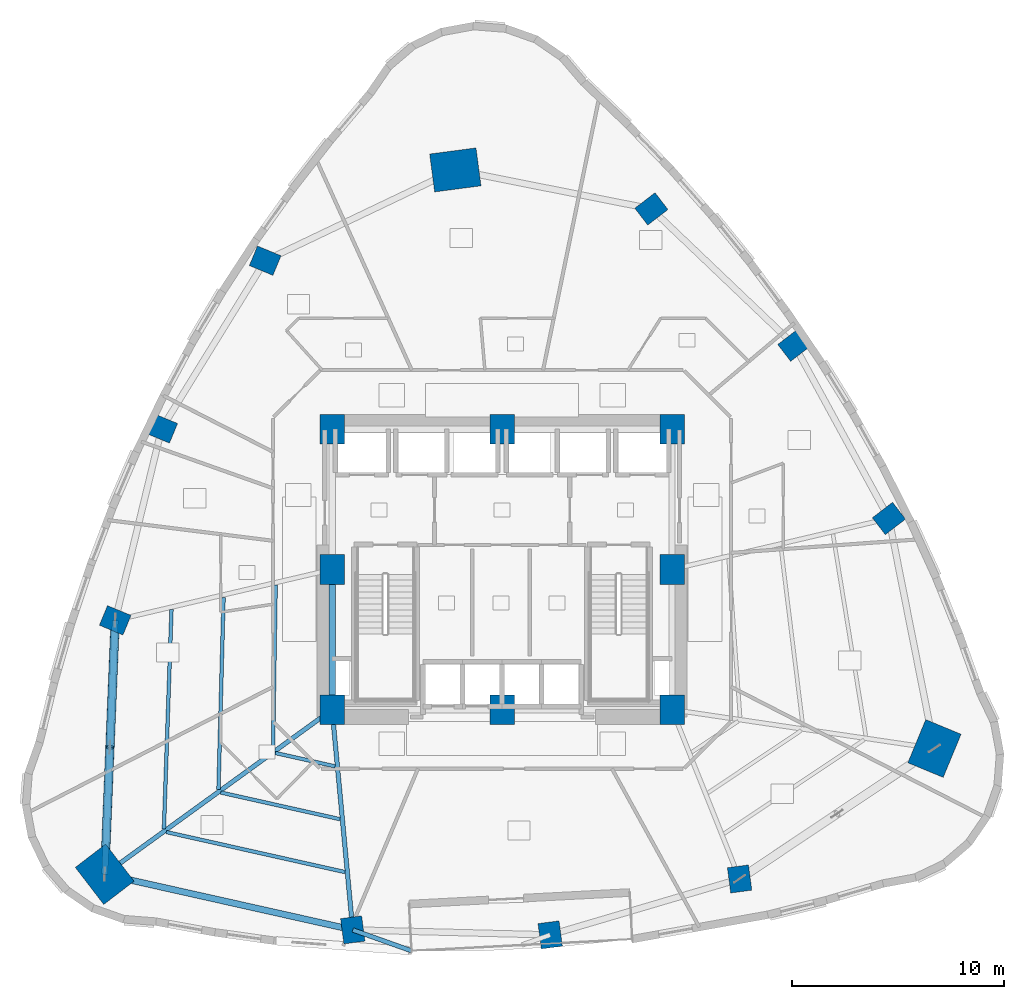
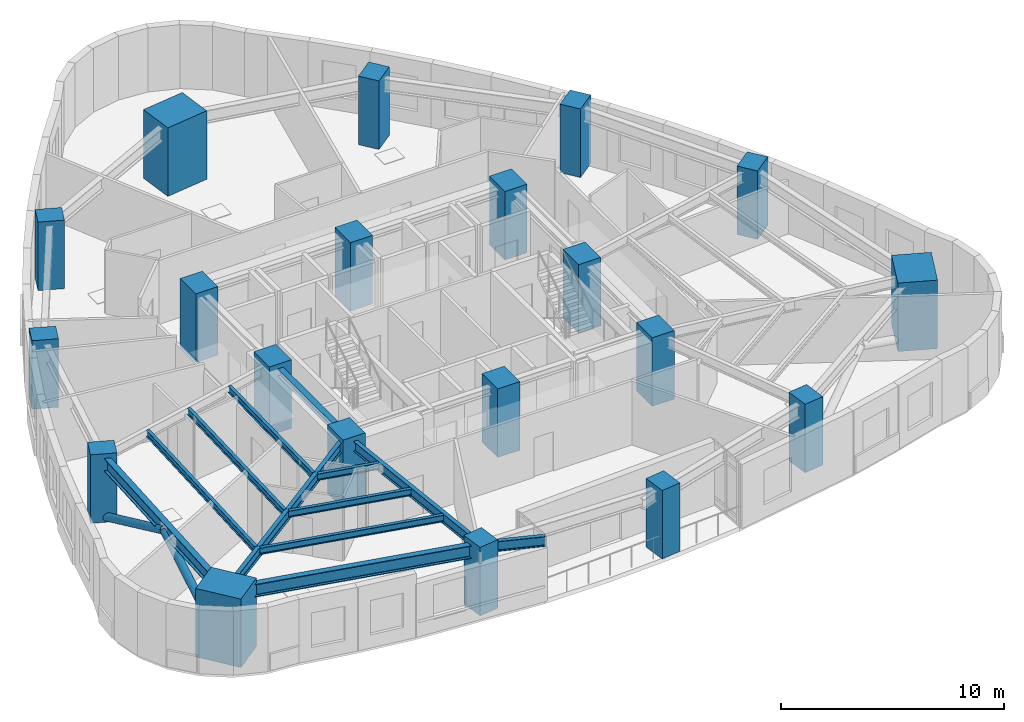
# One storey, part 1 of 11: 20 columns, 12 beams, 2 members.
"""IFC4 building model written with IfcOpenShell, lengths in metres."""

from ifc_helpers import new_model, si_unit, direction, frame, origin, origin_2d, place, context, subcontext, project, spatial, rectangle, hollow_circle, i_section, extrude, material, material_profile, profile_set, type_object, element, save


model = new_model("IFC4")

# Units and contexts
model_context = context("Model", 3, precision=1e-05, world=origin(), true_north=direction((0.0, 1.0)))
body_context = subcontext(model_context, "Body", "Model", "MODEL_VIEW")
ifc_project = project(units=[si_unit("LENGTHUNIT", "METRE"), si_unit("AREAUNIT", "SQUARE_METRE"), si_unit("VOLUMEUNIT", "CUBIC_METRE"), si_unit("PLANEANGLEUNIT", "RADIAN"), si_unit("MASSUNIT", "GRAM", prefix="KILO")], contexts=[model_context])

# Site, building, storey
site_placement = place(None, origin())
site = spatial("IfcSite", under=ifc_project, at=site_placement, CompositionType="ELEMENT")
building_placement = place(site_placement, origin())
building = spatial("IfcBuilding", under=site, at=building_placement, Name="Ndelora Gate Hotel", CompositionType="ELEMENT")
storey_placement = place(building_placement, frame((0.0, 0.0, 41.75)))
storey = spatial("IfcBuildingStorey", under=building, at=storey_placement, Name="L09", CompositionType="ELEMENT", Elevation=41.75)

# Columns
ifc_material_1 = material(Name="Concrete C60/75", Category="concrete")
ifc_material_profile_1 = material_profile(ifc_material_1, rectangle(XDim=1.14990234375, YDim=1.39990234375, at=origin_2d()), Name="RC 1400x1150")
ifc_profile_set_1 = profile_set([ifc_material_profile_1], Name="Concrete C60/75")
column_type_1 = type_object("IfcColumnType", Name="COL-CC-LOW", PredefinedType="COLUMN", material=ifc_profile_set_1)
for number, where, z_axis, x_axis, name in (
    (1, (-8.0, -6.60009765625, 0.0), (0.0, 0.0, 1.0), (1.0, 0.0, 0.0), "L09 Core Column CC1"),
    (2, (0.0, -6.60009765625, 0.0), (0.0, 0.0, 1.0), (1.0, 0.0, 0.0), "L09 Core Column CC2"),
    (3, (8.0, -6.60009765625, 0.0), (0.0, 0.0, 1.0), (1.0, 0.0, 0.0), "L09 Core Column CC3"),
    (4, (8.0, 0.0, 0.0), (0.0, 0.0, 1.0), (1.0, 0.0, 0.0), "L09 Core Column CC4"),
    (5, (8.0, 6.60009765625, 0.0), (0.0, 0.0, 1.0), (1.0, 0.0, 0.0), "L09 Core Column CC5"),
    (6, (0.0, 6.60009765625, 0.0), (0.0, 0.0, 1.0), (1.0, 0.0, 0.0), "L09 Core Column CC6"),
    (7, (-8.0, 6.60009765625, 0.0), (0.0, 0.0, 1.0), (1.0, 0.0, 0.0), "L09 Core Column CC7"),
    (8, (-8.0, 0.0, 0.0), (0.0, 0.0, 1.0), (1.0, 0.0, 0.0), "L09 Core Column CC8"),
):
    element("IfcColumn", number, at=place(storey_placement, frame(where, z_axis=z_axis, x_axis=x_axis)), inside=storey, type_object=column_type_1, Name=name, PredefinedType="COLUMN", context=body_context, shape_type="SweptSolid", body=[
        extrude(rectangle(XDim=1.14990234375, YDim=1.39990234375, at=origin_2d()), origin(), (0.0, 0.0, 1.0), 3.75),
    ])
ifc_material_profile_2 = material_profile(ifc_material_1, rectangle(XDim=1.800048828125, YDim=2.199951171875, at=origin_2d()), Name="RC 2200x1800")
ifc_profile_set_2 = profile_set([ifc_material_profile_2], Name="Concrete C60/75")
column_type_2 = type_object("IfcColumnType", Name="COL-MC-Z1", PredefinedType="COLUMN", material=ifc_profile_set_2)
for number, where, z_axis, x_axis, name in (
    (9, (-2.199951171875, 18.800048828125, 0.0), (0.0, 0.0, 1.0), (-0.13052619222, 0.991444861374, 0.0), "L09 Corner Mega-Column R1"),
    (10, (-18.701904296875, -14.3505859375, 0.0), (0.0, 0.0, 1.0), (0.793353340291, 0.608761429009, 0.0), "L09 Corner Mega-Column R5"),
    (11, (20.35009765625, -8.42919921875, 0.0), (0.0, 0.0, 1.0), (-0.923879532511, 0.382683432365, 0.0), "L09 Corner Mega-Column R9"),
):
    element("IfcColumn", number, at=place(storey_placement, frame(where, z_axis=z_axis, x_axis=x_axis)), inside=storey, type_object=column_type_2, Name=name, PredefinedType="COLUMN", context=body_context, shape_type="SweptSolid", body=[
        extrude(rectangle(XDim=1.800048828125, YDim=2.199951171875, at=origin_2d()), origin(), (0.0, 0.0, 1.0), 3.75),
    ])
ifc_material_profile_3 = material_profile(ifc_material_1, rectangle(XDim=1.0, YDim=1.199951171875, at=origin_2d()), Name="RC 1200x1000")
ifc_profile_set_3 = profile_set([ifc_material_profile_3], Name="Concrete C60/75")
column_type_3 = type_object("IfcColumnType", Name="COL-PT-Z1", PredefinedType="COLUMN", material=ifc_profile_set_3)
for number, where, z_axis, x_axis, name in (
    (12, (-11.1484375, 14.529052734375, 0.0), (0.0, 0.0, 1.0), (0.382683432365, 0.923879532511, 0.0), "L09 Perimeter Tube Column R2"),
    (13, (-16.016845703125, 6.634521484375, 0.0), (0.0, 0.0, 1.0), (0.382683432365, 0.923879532511, 0.0), "L09 Perimeter Tube Column R3"),
    (14, (-18.207275390625, -2.39697265625, 0.0), (0.0, 0.0, 1.0), (0.382683432365, 0.923879532511, 0.0), "L09 Perimeter Tube Column R4"),
    (15, (-7.027587890625, -16.96630859375, 0.0), (0.0, 0.0, 1.0), (0.991444861374, 0.13052619222, 0.0), "L09 Perimeter Tube Column R6"),
    (16, (2.2646484375, -17.20166015625, 0.0), (0.0, 0.0, 1.0), (0.991444861374, 0.13052619222, 0.0), "L09 Perimeter Tube Column R7"),
    (17, (11.179443359375, -14.5693359375, 0.0), (0.0, 0.0, 1.0), (0.991444861374, 0.13052619222, 0.0), "L09 Perimeter Tube Column R8"),
    (18, (18.207275390625, 2.39697265625, 0.0), (0.0, 0.0, 1.0), (-0.608761429009, 0.793353340291, 0.0), "L09 Perimeter Tube Column R10"),
    (19, (13.75390625, 10.5537109375, 0.0), (0.0, 0.0, 1.0), (-0.608761429009, 0.793353340291, 0.0), "L09 Perimeter Tube Column R11"),
    (20, (7.027587890625, 16.96630859375, 0.0), (0.0, 0.0, 1.0), (-0.608761429009, 0.793353340291, 0.0), "L09 Perimeter Tube Column R12"),
):
    element("IfcColumn", number, at=place(storey_placement, frame(where, z_axis=z_axis, x_axis=x_axis)), inside=storey, type_object=column_type_3, Name=name, PredefinedType="COLUMN", context=body_context, shape_type="SweptSolid", body=[
        extrude(rectangle(XDim=1.0, YDim=1.199951171875, at=origin_2d()), origin(), (0.0, 0.0, 1.0), 3.75),
    ])

# Beams
ifc_material_2 = material(Name="Steel S355", Category="steel")
ifc_material_profile_4 = material_profile(ifc_material_2, i_section(OverallWidth=0.300048828125, OverallDepth=0.39990234375, WebThickness=0.013427734375, FlangeThickness=0.02392578125, FilletRadius=0.027099609375, at=origin_2d()), Name="HEB 400")
ifc_profile_set_4 = profile_set([ifc_material_profile_4], Name="Steel S355")
beam_type_1 = type_object("IfcBeamType", Name="BM-CORE-400", PredefinedType="BEAM", material=ifc_profile_set_4)
beam_1_placement = place(storey_placement, frame((-8.0, -6.60009765625, 3.300048828125), z_axis=(0.0, 1.0, 0.0), x_axis=(-1.0, 0.0, 0.0)))
element("IfcBeam", 21, at=beam_1_placement, inside=storey, type_object=beam_type_1, Name="L09 Core Tie Girder CC1-CC8", PredefinedType="BEAM", context=body_context, shape_type="SweptSolid", body=[
    extrude(i_section(OverallWidth=0.300048828125, OverallDepth=0.39990234375, WebThickness=0.013427734375, FlangeThickness=0.02392578125, FilletRadius=0.027099609375, at=origin_2d()), origin(), (0.0, 0.0, 1.0), 6.60009765625),
])
ifc_material_profile_5 = material_profile(ifc_material_2, i_section(OverallWidth=0.169921875, OverallDepth=0.360107421875, WebThickness=0.008056640625, FlangeThickness=0.0126953125, FilletRadius=0.01806640625, at=origin_2d()), Name="IPE 360")
ifc_profile_set_5 = profile_set([ifc_material_profile_5], Name="Steel S355")
beam_type_2 = type_object("IfcBeamType", Name="BM-JST-360", PredefinedType="JOIST", material=ifc_profile_set_5)
beam_2_placement = place(storey_placement, frame((-10.65576171875, -0.73828125, 3.320068359375), z_axis=(-0.016071150123, -0.999870850727, 0.0), x_axis=(0.999870850727, -0.016071150123, 0.0)))
element("IfcBeam", 22, at=beam_2_placement, inside=storey, type_object=beam_type_2, Name="L09 Secondary Composite Floor Joist IN-4", PredefinedType="JOIST", context=body_context, shape_type="SweptSolid", body=[
    extrude(i_section(OverallWidth=0.169921875, OverallDepth=0.360107421875, WebThickness=0.008056640625, FlangeThickness=0.0126953125, FilletRadius=0.01806640625, at=origin_2d()), origin(), (0.0, 0.0, 1.0), 7.7626953125),
])
beam_3_placement = place(storey_placement, frame((-13.106689453125, -1.3134765625, 3.320068359375), z_axis=(-0.02665287705, -0.999644748971, 0.0), x_axis=(0.999644748971, -0.02665287705, 0.0)))
element("IfcBeam", 23, at=beam_3_placement, inside=storey, type_object=beam_type_2, Name="L09 Secondary Composite Floor Joist MID-4", PredefinedType="JOIST", context=body_context, shape_type="SweptSolid", body=[
    extrude(i_section(OverallWidth=0.169921875, OverallDepth=0.360107421875, WebThickness=0.008056640625, FlangeThickness=0.0126953125, FilletRadius=0.01806640625, at=origin_2d()), origin(), (0.0, 0.0, 1.0), 9.050048828125),
])
beam_4_placement = place(storey_placement, frame((-15.557373046875, -1.888671875, 3.320068359375), z_axis=(-0.034620883261, -0.999400517532, 0.0), x_axis=(0.999400517532, -0.034620883261, 0.0)))
element("IfcBeam", 24, at=beam_4_placement, inside=storey, type_object=beam_type_2, Name="L09 Secondary Composite Floor Joist OUT-4", PredefinedType="JOIST", context=body_context, shape_type="SweptSolid", body=[
    extrude(i_section(OverallWidth=0.169921875, OverallDepth=0.360107421875, WebThickness=0.008056640625, FlangeThickness=0.0126953125, FilletRadius=0.01806640625, at=origin_2d()), origin(), (0.0, 0.0, 1.0), 10.337890625),
])
beam_5_placement = place(storey_placement, frame((-10.67041015625, -8.640380859375, 3.320068359375), z_axis=(0.975820751938, -0.218572322325, 0.0), x_axis=(0.218572322325, 0.975820751938, 0.0)))
element("IfcBeam", 25, at=beam_5_placement, inside=storey, type_object=beam_type_2, Name="L09 Secondary Composite Floor Joist IN-5", PredefinedType="JOIST", context=body_context, shape_type="SweptSolid", body=[
    extrude(i_section(OverallWidth=0.169921875, OverallDepth=0.360107421875, WebThickness=0.008056640625, FlangeThickness=0.0126953125, FilletRadius=0.01806640625, at=origin_2d()), origin(), (0.0, 0.0, 1.0), 2.880615234375),
])
beam_6_placement = place(storey_placement, frame((-13.23876953125, -10.50048828125, 3.320068359375), z_axis=(0.975805037012, -0.218642470123, 0.0), x_axis=(0.218642470123, 0.975805037012, 0.0)))
element("IfcBeam", 26, at=beam_6_placement, inside=storey, type_object=beam_type_2, Name="L09 Secondary Composite Floor Joist MID-5", PredefinedType="JOIST", context=body_context, shape_type="SweptSolid", body=[
    extrude(i_section(OverallWidth=0.169921875, OverallDepth=0.360107421875, WebThickness=0.008056640625, FlangeThickness=0.0126953125, FilletRadius=0.01806640625, at=origin_2d()), origin(), (0.0, 0.0, 1.0), 5.751708984375),
])
beam_7_placement = place(storey_placement, frame((-15.80712890625, -12.360595703125, 3.320068359375), z_axis=(0.975802493229, -0.218653822759, 0.0), x_axis=(0.218653822759, 0.975802493229, 0.0)))
element("IfcBeam", 27, at=beam_7_placement, inside=storey, type_object=beam_type_2, Name="L09 Secondary Composite Floor Joist OUT-5", PredefinedType="JOIST", context=body_context, shape_type="SweptSolid", body=[
    extrude(i_section(OverallWidth=0.169921875, OverallDepth=0.360107421875, WebThickness=0.008056640625, FlangeThickness=0.0126953125, FilletRadius=0.01806640625, at=origin_2d()), origin(), (0.0, 0.0, 1.0), 8.623291015625),
])
ifc_material_profile_6 = material_profile(ifc_material_2, i_section(OverallWidth=0.2099609375, OverallDepth=0.550048828125, WebThickness=0.010986328125, FlangeThickness=0.01708984375, FilletRadius=0.02392578125, at=origin_2d()), Name="IPE 550")
ifc_profile_set_6 = profile_set([ifc_material_profile_6], Name="Steel S355")
beam_type_3 = type_object("IfcBeamType", Name="BM-RAD-550", PredefinedType="BEAM", material=ifc_profile_set_6)
beam_8_placement = place(storey_placement, frame((-8.0, -6.60009765625, 3.22509765625), z_axis=(-0.809912157619, -0.586551188679, 0.0), x_axis=(0.586551188679, -0.809912157619, 0.0)))
element("IfcBeam", 28, at=beam_8_placement, inside=storey, type_object=beam_type_3, Name="L09 Radial Floor Girder 5", PredefinedType="BEAM", context=body_context, shape_type="SweptSolid", body=[
    extrude(i_section(OverallWidth=0.2099609375, OverallDepth=0.550048828125, WebThickness=0.010986328125, FlangeThickness=0.01708984375, FilletRadius=0.02392578125, at=origin_2d()), origin(), (0.0, 0.0, 1.0), 13.213623046875),
])
beam_9_placement = place(storey_placement, frame((-8.0, -6.60009765625, 3.22509765625), z_axis=(0.093395913855, -0.995629049031, 0.0), x_axis=(0.995629049031, 0.093395913855, 0.0)))
element("IfcBeam", 29, at=beam_9_placement, inside=storey, type_object=beam_type_3, Name="L09 Radial Floor Girder 6", PredefinedType="BEAM", context=body_context, shape_type="SweptSolid", body=[
    extrude(i_section(OverallWidth=0.2099609375, OverallDepth=0.550048828125, WebThickness=0.010986328125, FlangeThickness=0.01708984375, FilletRadius=0.02392578125, at=origin_2d()), origin(), (0.0, 0.0, 1.0), 10.41162109375),
])
beam_10_placement = place(storey_placement, frame((-7.027587890625, -16.96630859375, 3.22509765625), z_axis=(0.942039285358, -0.335502585448, 0.0), x_axis=(0.335502585448, 0.942039285358, 0.0)))
element("IfcBeam", 30, at=beam_10_placement, inside=storey, type_object=beam_type_3, Name="L09 Sky-Garden Loggia Column Bracket 1", PredefinedType="BEAM", context=body_context, shape_type="SweptSolid", body=[
    extrude(i_section(OverallWidth=0.2099609375, OverallDepth=0.550048828125, WebThickness=0.010986328125, FlangeThickness=0.01708984375, FilletRadius=0.02392578125, at=origin_2d()), origin(), (0.0, 0.0, 1.0), 2.93115234375),
])
ifc_material_profile_7 = material_profile(ifc_material_2, i_section(OverallWidth=0.300048828125, OverallDepth=0.699951171875, WebThickness=0.01708984375, FlangeThickness=0.031982421875, FilletRadius=0.027099609375, at=origin_2d()), Name="HEB 700")
ifc_profile_set_7 = profile_set([ifc_material_profile_7], Name="Steel S355")
beam_type_4 = type_object("IfcBeamType", Name="BM-RING-700", PredefinedType="SPANDREL", material=ifc_profile_set_7)
for number, where, z_axis, x_axis, name in (
    (31, (-18.207275390625, -2.39697265625, 3.14990234375), (-0.041343648978, -0.99914498582, 0.0), (0.99914498582, -0.041343648978, 0.0), "L09 Perimeter Spandrel Girder 4"),
    (32, (-18.701904296875, -14.3505859375, 3.14990234375), (0.97580624377, -0.218637084273, 0.0), (0.218637084273, 0.97580624377, 0.0), "L09 Perimeter Spandrel Girder 5"),
):
    element("IfcBeam", number, at=place(storey_placement, frame(where, z_axis=z_axis, x_axis=x_axis)), inside=storey, type_object=beam_type_4, Name=name, PredefinedType="SPANDREL", context=body_context, shape_type="SweptSolid", body=[
        extrude(i_section(OverallWidth=0.300048828125, OverallDepth=0.699951171875, WebThickness=0.01708984375, FlangeThickness=0.031982421875, FilletRadius=0.027099609375, at=origin_2d()), origin(), (0.0, 0.0, 1.0), 11.9638671875),
    ])

# Members
ifc_material_profile_8 = material_profile(ifc_material_2, hollow_circle(Radius=0.202880859375, WallThickness=0.02001953125, at=origin_2d()), Name="CHS 406x20")
ifc_profile_set_8 = profile_set([ifc_material_profile_8], Name="Steel S355")
member_type = type_object("IfcMemberType", Name="MB-TUBE-406", PredefinedType="BRACE", material=ifc_profile_set_8)
for number, where, z_axis, x_axis, name in (
    (33, (-18.207275390625, -2.39697265625, 0.02001953125), (-0.037129162341, -0.897294198679, 0.439868783071), (0.99914498582, -0.041343648978, 0.0), "L09 Perimeter Braced-Tube Diagonal 4A"),
    (34, (-18.701904296875, -14.3505859375, 0.02001953125), (0.037129162341, 0.897294198679, 0.439868783071), (-0.99914498582, 0.041343648978, 0.0), "L09 Perimeter Braced-Tube Diagonal 4B"),
):
    element("IfcMember", number, at=place(storey_placement, frame(where, z_axis=z_axis, x_axis=x_axis)), inside=storey, type_object=member_type, Name=name, PredefinedType="BRACE", context=body_context, shape_type="SweptSolid", body=[
        extrude(hollow_circle(Radius=0.202880859375, WallThickness=0.02001953125, at=origin_2d()), origin(), (0.0, 0.0, 1.0), 6.660888671875),
    ])

save(model, "model.ifc")
